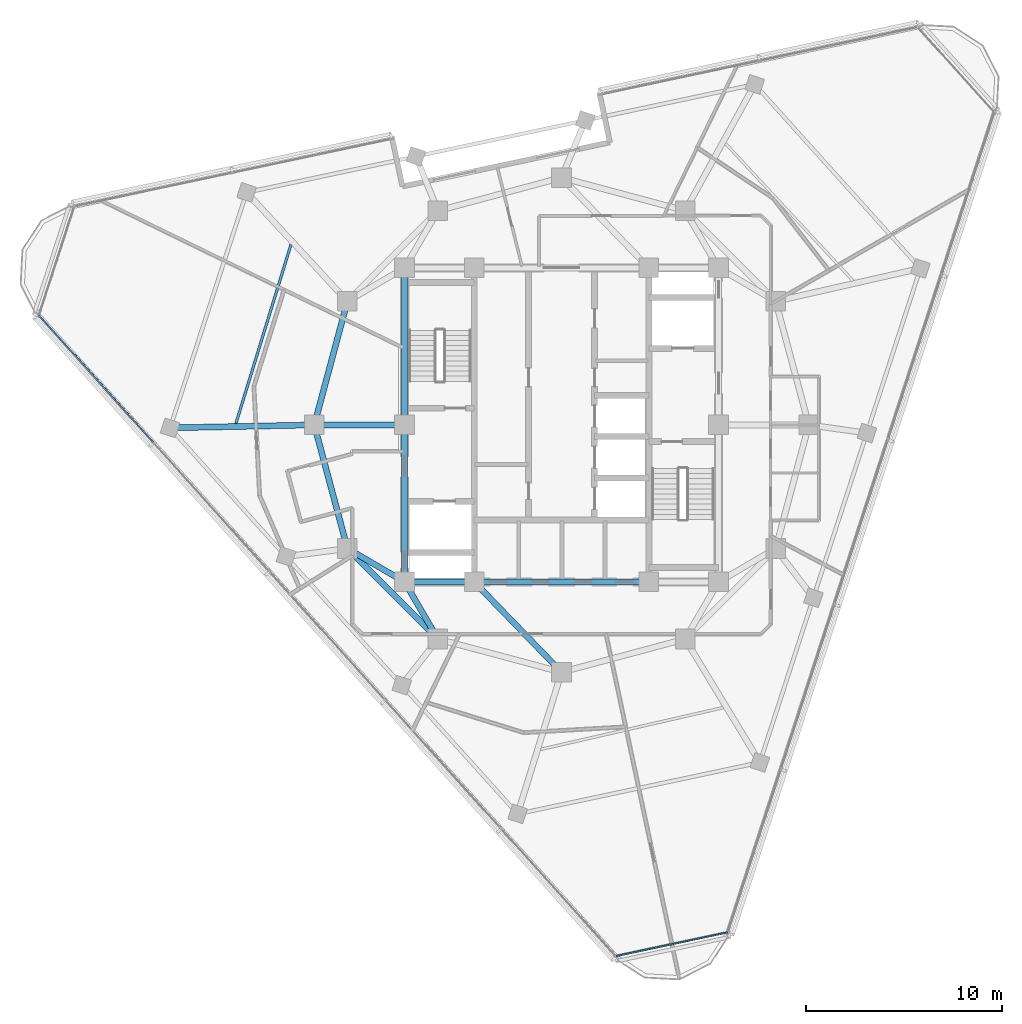
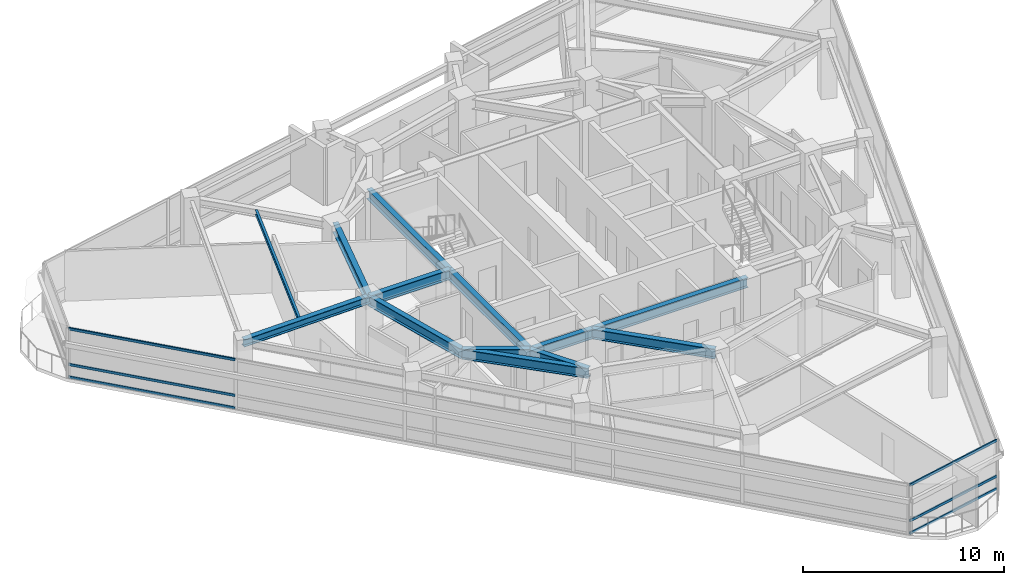
# One storey, part 3 of 15: 13 beams, 6 members, 2 elements without a shape of their own.
"""IFC4 building model written with IfcOpenShell, lengths in metres."""

from ifc_helpers import new_model, si_unit, direction, frame, origin, origin_2d, place, context, subcontext, project, spatial, rectangle, i_section, extrude, material, layer, layer_set, material_profile, profile_set, type_object, element, aggregate, save


model = new_model("IFC4")

# Units and contexts
model_context = context("Model", 3, precision=1e-05, world=origin(), true_north=direction((0.0, 1.0)))
body_context = subcontext(model_context, "Body", "Model", "MODEL_VIEW")
ifc_project = project(units=[si_unit("LENGTHUNIT", "METRE"), si_unit("AREAUNIT", "SQUARE_METRE"), si_unit("VOLUMEUNIT", "CUBIC_METRE"), si_unit("PLANEANGLEUNIT", "RADIAN"), si_unit("MASSUNIT", "GRAM", prefix="KILO")], contexts=[model_context])

# Site, building, storey
site_placement = place(None, origin())
site = spatial("IfcSite", under=ifc_project, at=site_placement, CompositionType="ELEMENT")
building_placement = place(site_placement, origin())
building = spatial("IfcBuilding", under=site, at=building_placement, Name="Terralouvre Media Tower", CompositionType="ELEMENT")
storey_placement = place(building_placement, frame((0.0, 0.0, 305.39990234375)))
storey = spatial("IfcBuildingStorey", under=building, at=storey_placement, Name="L79", CompositionType="ELEMENT", Elevation=305.39990234375)

# Beam
ifc_material_1 = material(Name="Structural steel S355J2", Category="steel")
ifc_material_profile_1 = material_profile(ifc_material_1, i_section(OverallWidth=0.135009765625, OverallDepth=0.27001953125, WebThickness=0.006591796875, FlangeThickness=0.01025390625, at=origin_2d()), Name="IPE 270")
ifc_profile_set_1 = profile_set([ifc_material_profile_1], Name="Structural steel S355J2")
beam_type_1 = type_object("IfcBeamType", Name="Composite Floor Joist J-IPE270 (IPE 270)", PredefinedType="JOIST", material=ifc_profile_set_1)
beam_1_placement = place(storey_placement, frame((-13.788330078125, 9.187744140625, 3.364990234375), z_axis=(-0.294195495195, -0.955745264496, 0.0), x_axis=(0.955745264496, -0.294195495195, 0.0)))
element("IfcBeam", 1, at=beam_1_placement, inside=storey, type_object=beam_type_1, Name="L79 Framing Beam JT-L79-06", PredefinedType="JOIST", context=body_context, shape_type="SweptSolid", body=[
    extrude(i_section(OverallWidth=0.135009765625, OverallDepth=0.27001953125, WebThickness=0.006591796875, FlangeThickness=0.01025390625, at=origin_2d()), origin(), (0.0, 0.0, 1.0), 9.544189453125),
])

# Curtain wall, members
ifc_material_2 = material(Name="Low-iron laminated double glazing with solar-control coating", Category="glass")
ifc_layer_1 = layer(ifc_material_2, 0.1650390625, Name="Faceted Glass-Point Crown Curtain Wall CW-06")
ifc_layer_set_1 = layer_set([ifc_layer_1], Name="Low-iron laminated double glazing with solar-control coating")
curtain_wall_type_1 = type_object("IfcCurtainWallType", Name="Faceted Glass-Point Crown Curtain Wall CW-06", PredefinedType="NOTDEFINED", material=ifc_layer_set_1)
curtain_wall_1_placement = place(storey_placement, origin())
curtain_wall_1 = element("IfcCurtainWall", 2, at=curtain_wall_1_placement, inside=storey, type_object=curtain_wall_type_1, Name="L79 Facade Curtain Wall F2", PredefinedType="NOTDEFINED")
ifc_material_3 = material(Name="Anodised extruded aluminium 6063-T6", Category="aluminium")
ifc_material_profile_2 = material_profile(ifc_material_3, rectangle(XDim=0.074951171875, YDim=0.14990234375, at=origin_2d()), Name="ALU 75x150")
ifc_profile_set_2 = profile_set([ifc_material_profile_2], Name="Anodised extruded aluminium 6063-T6")
member_type = type_object("IfcMemberType", Name="Curtain-Wall Horizontal Transom TR-150", PredefinedType="USERDEFINED", material=ifc_profile_set_2)
member_1_placement = place(storey_placement, frame((-26.64306640625, 5.59423828125, 0.03759765625), z_axis=(0.669130389016, -0.743145021174, 0.0), x_axis=(0.743145021174, 0.669130389016, 0.0)))
member_1 = element("IfcMember", 3, at=member_1_placement, type_object=member_type, Name="CW-06 transom 1.1", ObjectType="TRANSOM", PredefinedType="USERDEFINED", context=body_context, shape_type="SweptSolid", body=[
    extrude(rectangle(XDim=0.074951171875, YDim=0.14990234375, at=origin_2d()), origin(), (0.0, 0.0, 1.0), 8.71142578125),
])
member_2_placement = place(storey_placement, frame((-26.64306640625, 5.59423828125, 0.800048828125), z_axis=(0.669130389016, -0.743145021174, 0.0), x_axis=(0.743145021174, 0.669130389016, 0.0)))
member_2 = element("IfcMember", 4, at=member_2_placement, type_object=member_type, Name="CW-06 transom 1.2", ObjectType="TRANSOM", PredefinedType="USERDEFINED", context=body_context, shape_type="SweptSolid", body=[
    extrude(rectangle(XDim=0.074951171875, YDim=0.14990234375, at=origin_2d()), origin(), (0.0, 0.0, 1.0), 8.71142578125),
])
member_3_placement = place(storey_placement, frame((-26.64306640625, 5.59423828125, 2.962646484375), z_axis=(0.669130389016, -0.743145021174, 0.0), x_axis=(0.743145021174, 0.669130389016, 0.0)))
member_3 = element("IfcMember", 5, at=member_3_placement, type_object=member_type, Name="CW-06 transom 1.3", ObjectType="TRANSOM", PredefinedType="USERDEFINED", context=body_context, shape_type="SweptSolid", body=[
    extrude(rectangle(XDim=0.074951171875, YDim=0.14990234375, at=origin_2d()), origin(), (0.0, 0.0, 1.0), 8.71142578125),
])
aggregate(curtain_wall_1, [member_1, member_2, member_3])

ifc_material_4 = material(Name="Low-iron laminated double glazing with solar-control coating", Category="glass")
ifc_layer_2 = layer(ifc_material_4, 0.1650390625, Name="Rounded Wind-Corner Curved Glazing CW-04")
ifc_layer_set_2 = layer_set([ifc_layer_2], Name="Low-iron laminated double glazing with solar-control coating")
curtain_wall_type_2 = type_object("IfcCurtainWallType", Name="Rounded Wind-Corner Curved Glazing CW-04", PredefinedType="NOTDEFINED", material=ifc_layer_set_2)
curtain_wall_2_placement = place(storey_placement, origin())
curtain_wall_2 = element("IfcCurtainWall", 6, at=curtain_wall_2_placement, inside=storey, type_object=curtain_wall_type_2, Name="L79 Rounded Wind-Corner Curtain Wall C0", PredefinedType="NOTDEFINED")
member_4_placement = place(storey_placement, frame((2.783935546875, -27.0654296875, 0.03759765625), z_axis=(0.978142503597, 0.207935669515, 0.0), x_axis=(-0.207935669515, 0.978142503597, 0.0)))
member_4 = element("IfcMember", 7, at=member_4_placement, type_object=member_type, Name="CW-04 transom 1.1", ObjectType="TRANSOM", PredefinedType="USERDEFINED", context=body_context, shape_type="SweptSolid", body=[
    extrude(rectangle(XDim=0.074951171875, YDim=0.14990234375, at=origin_2d()), origin(), (0.0, 0.0, 1.0), 5.808349609375),
])
member_5_placement = place(storey_placement, frame((2.783935546875, -27.0654296875, 0.800048828125), z_axis=(0.978142503597, 0.207935669515, 0.0), x_axis=(-0.207935669515, 0.978142503597, 0.0)))
member_5 = element("IfcMember", 8, at=member_5_placement, type_object=member_type, Name="CW-04 transom 1.2", ObjectType="TRANSOM", PredefinedType="USERDEFINED", context=body_context, shape_type="SweptSolid", body=[
    extrude(rectangle(XDim=0.074951171875, YDim=0.14990234375, at=origin_2d()), origin(), (0.0, 0.0, 1.0), 5.808349609375),
])
member_6_placement = place(storey_placement, frame((2.783935546875, -27.0654296875, 2.962646484375), z_axis=(0.978142503597, 0.207935669515, 0.0), x_axis=(-0.207935669515, 0.978142503597, 0.0)))
member_6 = element("IfcMember", 9, at=member_6_placement, type_object=member_type, Name="CW-04 transom 1.3", ObjectType="TRANSOM", PredefinedType="USERDEFINED", context=body_context, shape_type="SweptSolid", body=[
    extrude(rectangle(XDim=0.074951171875, YDim=0.14990234375, at=origin_2d()), origin(), (0.0, 0.0, 1.0), 5.808349609375),
])
aggregate(curtain_wall_2, [member_4, member_5, member_6])

# Beams
ifc_material_5 = material(Name="Structural steel S355J2", Category="steel")
ifc_material_profile_3 = material_profile(ifc_material_5, i_section(OverallWidth=0.300048828125, OverallDepth=0.449951171875, WebThickness=0.013916015625, FlangeThickness=0.02587890625, at=origin_2d()), Name="HEB 450")
ifc_profile_set_3 = profile_set([ifc_material_profile_3], Name="Structural steel S355J2")
beam_type_2 = type_object("IfcBeamType", Name="Primary Floor Girder B-HEB450 (HEB 450)", PredefinedType="BEAM", material=ifc_profile_set_3)
beam_2_placement = place(storey_placement, frame((-12.60009765625, 0.0, 3.275146484375), z_axis=(-0.999787942628, -0.020592954534, 0.0), x_axis=(0.020592954534, -0.999787942628, 0.0)))
element("IfcBeam", 10, at=beam_2_placement, inside=storey, type_object=beam_type_2, Name="L79 Framing Beam BM-L79-RD01", PredefinedType="BEAM", context=body_context, shape_type="SweptSolid", body=[
    extrude(i_section(OverallWidth=0.300048828125, OverallDepth=0.449951171875, WebThickness=0.013916015625, FlangeThickness=0.02587890625, at=origin_2d()), origin(), (0.0, 0.0, 1.0), 7.350341796875),
])
ifc_material_6 = material(Name="Structural steel S460M", Category="steel")
ifc_material_profile_4 = material_profile(ifc_material_6, i_section(OverallWidth=0.300048828125, OverallDepth=0.60009765625, WebThickness=0.015380859375, FlangeThickness=0.030029296875, at=origin_2d()), Name="HEB 600")
ifc_profile_set_4 = profile_set([ifc_material_profile_4], Name="Structural steel S460M")
beam_type_3 = type_object("IfcBeamType", Name="Primary Floor Girder B-HEB600 (HEB 600)", PredefinedType="BEAM", material=ifc_profile_set_4)
beam_3_placement = place(storey_placement, frame((-8.0, -8.0, 3.2001953125), z_axis=(1.0, 0.0, 0.0), x_axis=(0.0, 1.0, 0.0)))
element("IfcBeam", 11, at=beam_3_placement, inside=storey, type_object=beam_type_3, Name="L79 Framing Beam BM-L79-CPR01", PredefinedType="BEAM", context=body_context, shape_type="SweptSolid", body=[
    extrude(i_section(OverallWidth=0.300048828125, OverallDepth=0.60009765625, WebThickness=0.015380859375, FlangeThickness=0.030029296875, at=origin_2d()), origin(), (0.0, 0.0, 1.0), 3.550048828125),
])
beam_4_placement = place(storey_placement, frame((-4.449951171875, -8.0, 3.2001953125), z_axis=(1.0, 0.0, 0.0), x_axis=(0.0, 1.0, 0.0)))
element("IfcBeam", 12, at=beam_4_placement, inside=storey, type_object=beam_type_3, Name="L79 Framing Beam BM-L79-CPR02", PredefinedType="BEAM", context=body_context, shape_type="SweptSolid", body=[
    extrude(i_section(OverallWidth=0.300048828125, OverallDepth=0.60009765625, WebThickness=0.015380859375, FlangeThickness=0.030029296875, at=origin_2d()), origin(), (0.0, 0.0, 1.0), 8.89990234375),
])
for number, where, z_axis, x_axis, name in (
    (13, (-8.0, 8.0, 3.2001953125), (0.0, -1.0, 0.0), (1.0, 0.0, 0.0), "L79 Framing Beam BM-L79-CPR09"),
    (14, (-8.0, 0.0, 3.2001953125), (0.0, -1.0, 0.0), (1.0, 0.0, 0.0), "L79 Framing Beam BM-L79-CPR10"),
):
    element("IfcBeam", number, at=place(storey_placement, frame(where, z_axis=z_axis, x_axis=x_axis)), inside=storey, type_object=beam_type_3, Name=name, PredefinedType="BEAM", context=body_context, shape_type="SweptSolid", body=[
        extrude(i_section(OverallWidth=0.300048828125, OverallDepth=0.60009765625, WebThickness=0.015380859375, FlangeThickness=0.030029296875, at=origin_2d()), origin(), (0.0, 0.0, 1.0), 8.0),
    ])
beam_5_placement = place(storey_placement, frame((-10.911865234375, -6.300048828125, 3.2001953125), z_axis=(0.707106781187, -0.707106781187, 0.0), x_axis=(0.707106781187, 0.707106781187, 0.0)))
element("IfcBeam", 15, at=beam_5_placement, inside=storey, type_object=beam_type_3, Name="L79 Framing Beam BM-L79-MR01", PredefinedType="BEAM", context=body_context, shape_type="SweptSolid", body=[
    extrude(i_section(OverallWidth=0.300048828125, OverallDepth=0.60009765625, WebThickness=0.015380859375, FlangeThickness=0.030029296875, at=origin_2d()), origin(), (0.0, 0.0, 1.0), 6.52197265625),
])
for number, where, z_axis, x_axis, name in (
    (16, (-10.911865234375, 6.300048828125, 3.2001953125), (-0.258838989821, -0.965920481897, 0.0), (0.965920481897, -0.258838989821, 0.0), "L79 Framing Beam BM-L79-MR11"),
    (17, (-12.60009765625, 0.0, 3.2001953125), (0.258838989821, -0.965920481897, 0.0), (0.965920481897, 0.258838989821, 0.0), "L79 Framing Beam BM-L79-MR12"),
):
    element("IfcBeam", number, at=place(storey_placement, frame(where, z_axis=z_axis, x_axis=x_axis)), inside=storey, type_object=beam_type_3, Name=name, PredefinedType="BEAM", context=body_context, shape_type="SweptSolid", body=[
        extrude(i_section(OverallWidth=0.300048828125, OverallDepth=0.60009765625, WebThickness=0.015380859375, FlangeThickness=0.030029296875, at=origin_2d()), origin(), (0.0, 0.0, 1.0), 6.522216796875),
    ])
for number, where, z_axis, x_axis, name in (
    (18, (-8.0, -8.0, 3.2001953125), (-0.863602894532, 0.504172629717, 0.0), (-0.504172629717, -0.863602894532, 0.0), "L79 Framing Beam BM-L79-CM01"),
    (19, (-8.0, -8.0, 3.2001953125), (0.504172629717, -0.863602894532, 0.0), (0.863602894532, 0.504172629717, 0.0), "L79 Framing Beam BM-L79-CM02"),
):
    element("IfcBeam", number, at=place(storey_placement, frame(where, z_axis=z_axis, x_axis=x_axis)), inside=storey, type_object=beam_type_3, Name=name, PredefinedType="BEAM", context=body_context, shape_type="SweptSolid", body=[
        extrude(i_section(OverallWidth=0.300048828125, OverallDepth=0.60009765625, WebThickness=0.015380859375, FlangeThickness=0.030029296875, at=origin_2d()), origin(), (0.0, 0.0, 1.0), 3.371826171875),
    ])
beam_6_placement = place(storey_placement, frame((-4.449951171875, -8.0, 3.2001953125), z_axis=(0.695279715726, -0.718739255155, 0.0), x_axis=(0.718739255155, 0.695279715726, 0.0)))
element("IfcBeam", 20, at=beam_6_placement, inside=storey, type_object=beam_type_3, Name="L79 Framing Beam BM-L79-CM03", PredefinedType="BEAM", context=body_context, shape_type="SweptSolid", body=[
    extrude(i_section(OverallWidth=0.300048828125, OverallDepth=0.60009765625, WebThickness=0.015380859375, FlangeThickness=0.030029296875, at=origin_2d()), origin(), (0.0, 0.0, 1.0), 6.400146484375),
])
beam_7_placement = place(storey_placement, frame((-8.0, 0.0, 3.2001953125), z_axis=(-1.0, 0.0, 0.0), x_axis=(0.0, -1.0, 0.0)))
element("IfcBeam", 21, at=beam_7_placement, inside=storey, type_object=beam_type_3, Name="L79 Framing Beam BM-L79-CM12", PredefinedType="BEAM", context=body_context, shape_type="SweptSolid", body=[
    extrude(i_section(OverallWidth=0.300048828125, OverallDepth=0.60009765625, WebThickness=0.015380859375, FlangeThickness=0.030029296875, at=origin_2d()), origin(), (0.0, 0.0, 1.0), 4.60009765625),
])

save(model, "model.ifc")
